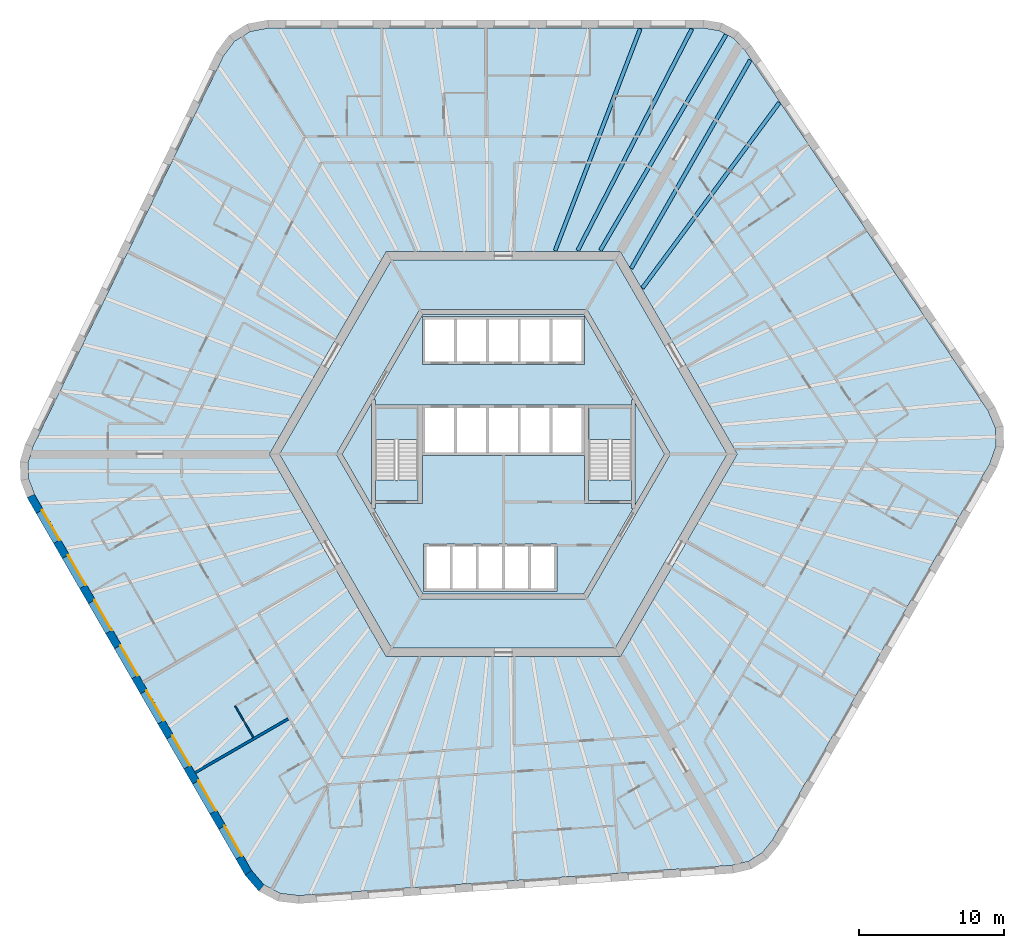
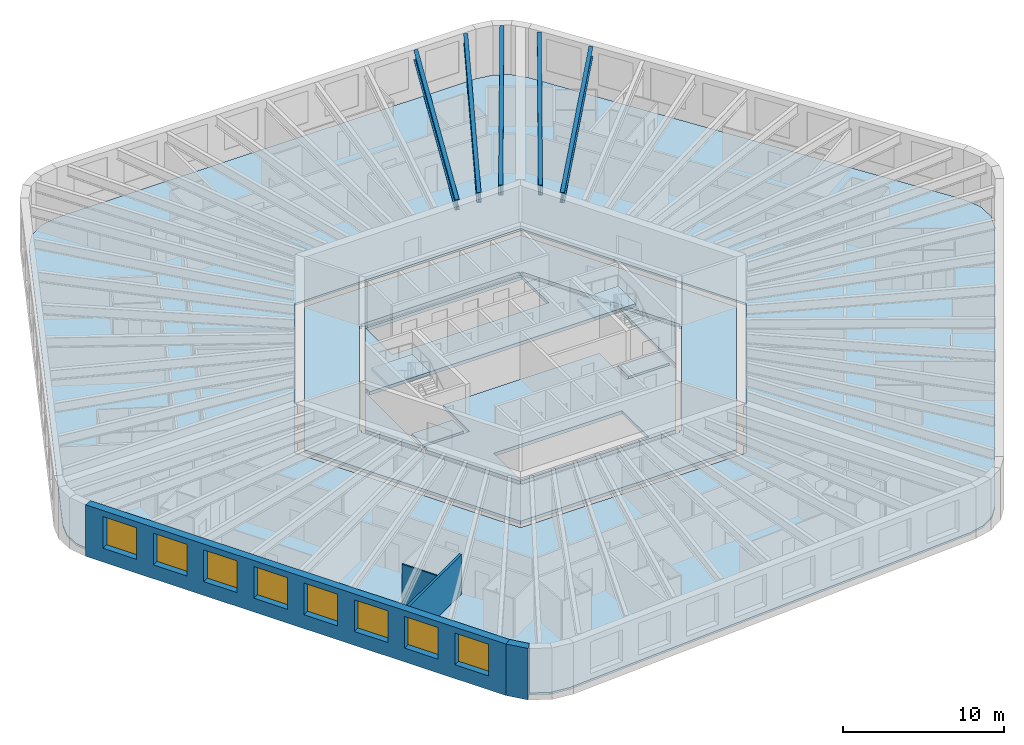
# One storey, part 2 of 12: 10 slabs, 8 windows, 5 beams, 4 walls, 8 openings, 2 elements without a shape of their own.
"""IFC4 building model written with IfcOpenShell, lengths in metres."""

from ifc_helpers import new_model, si_unit, direction, frame, frame_2d, origin, origin_2d, place, context, subcontext, project, spatial, polyline, rectangle, i_section, outline, extrude, material, layer, layer_set, material_profile, profile_set, type_object, element, fill, aggregate, save


model = new_model("IFC4")

# Units and contexts
model_context = context("Model", 3, precision=1e-05, world=origin(), true_north=direction((0.0, 1.0)))
body_context = subcontext(model_context, "Body", "Model", "MODEL_VIEW")
ifc_project = project(units=[si_unit("LENGTHUNIT", "METRE"), si_unit("AREAUNIT", "SQUARE_METRE"), si_unit("VOLUMEUNIT", "CUBIC_METRE"), si_unit("PLANEANGLEUNIT", "RADIAN"), si_unit("MASSUNIT", "GRAM", prefix="KILO")], contexts=[model_context])

# Site, building, storey
site_placement = place(None, origin())
site = spatial("IfcSite", under=ifc_project, at=site_placement, CompositionType="ELEMENT")
building_placement = place(site_placement, origin())
building = spatial("IfcBuilding", under=site, at=building_placement, Name="Tarnside Tower", CompositionType="ELEMENT")
storey_placement = place(building_placement, frame((0.0, 0.0, 131.10009765625)))
storey = spatial("IfcBuildingStorey", under=building, at=storey_placement, Name="L30", CompositionType="ELEMENT", Elevation=131.10009765625)

# Beams
ifc_material_1 = material(Name="Steel S355", Category="steel")
ifc_material_profile = material_profile(ifc_material_1, i_section(OverallWidth=0.2666015625, OverallDepth=0.76220703125, WebThickness=0.014404296875, FlangeThickness=0.021484375, FilletRadius=0.0166015625, at=origin_2d()), Name="UB 762x267x173")
ifc_profile_set = profile_set([ifc_material_profile], Name="Steel S355")
beam_type = type_object("IfcBeamType", Name="Floor beam UB 762x267x173", PredefinedType="BEAM", material=ifc_profile_set)
beam_1_placement = place(storey_placement, frame((13.0283203125, 29.37890625, 3.368896484375), z_axis=(-0.457973226459, -0.888965985765, 0.0), x_axis=(0.888965985765, -0.457973226459, 0.0)))
element("IfcBeam", 1, at=beam_1_placement, inside=storey, type_object=beam_type, Name="Floor beam F1.01", PredefinedType="BEAM", context=body_context, shape_type="SweptSolid", body=[
    extrude(i_section(OverallWidth=0.2666015625, OverallDepth=0.76220703125, WebThickness=0.014404296875, FlangeThickness=0.021484375, FilletRadius=0.0166015625, at=origin_2d()), origin(), (0.0, 0.0, 1.0), 17.219970703125),
])
beam_2_placement = place(storey_placement, frame((9.4619140625, 29.39404296875, 3.368896484375), z_axis=(-0.358299847269, -0.933606565662, 0.0), x_axis=(0.933606565662, -0.358299847269, 0.0)))
element("IfcBeam", 2, at=beam_2_placement, inside=storey, type_object=beam_type, Name="Floor beam F1.02", PredefinedType="BEAM", context=body_context, shape_type="SweptSolid", body=[
    extrude(i_section(OverallWidth=0.2666015625, OverallDepth=0.76220703125, WebThickness=0.014404296875, FlangeThickness=0.021484375, FilletRadius=0.0166015625, at=origin_2d()), origin(), (0.0, 0.0, 1.0), 16.428955078125),
])
beam_3_placement = place(storey_placement, frame((19.072021484375, 24.28857421875, 3.368896484375), z_axis=(-0.593986893499, -0.804474717037, 0.0), x_axis=(0.804474717037, -0.593986893499, 0.0)))
element("IfcBeam", 3, at=beam_3_placement, inside=storey, type_object=beam_type, Name="Floor beam F6.08", PredefinedType="BEAM", context=body_context, shape_type="SweptSolid", body=[
    extrude(i_section(OverallWidth=0.2666015625, OverallDepth=0.76220703125, WebThickness=0.014404296875, FlangeThickness=0.021484375, FilletRadius=0.0166015625, at=origin_2d()), origin(), (0.0, 0.0, 1.0), 15.934326171875),
])
beam_4_placement = place(storey_placement, frame((17.066162109375, 27.235107421875, 3.368896484375), z_axis=(-0.49622611841, -0.868193319145, 0.0), x_axis=(0.868193319145, -0.49622611841, 0.0)))
element("IfcBeam", 4, at=beam_4_placement, inside=storey, type_object=beam_type, Name="Floor beam F6.09", PredefinedType="BEAM", context=body_context, shape_type="SweptSolid", body=[
    extrude(i_section(OverallWidth=0.2666015625, OverallDepth=0.76220703125, WebThickness=0.014404296875, FlangeThickness=0.021484375, FilletRadius=0.0166015625, at=origin_2d()), origin(), (0.0, 0.0, 1.0), 16.586669921875),
])
beam_5_placement = place(storey_placement, frame((15.4013671875, 28.990478515625, 3.368896484375), z_axis=(-0.503858723096, -0.863786077198, 0.0), x_axis=(0.863786077198, -0.503858723096, 0.0)))
element("IfcBeam", 5, at=beam_5_placement, inside=storey, type_object=beam_type, Name="Floor beam C6", PredefinedType="BEAM", context=body_context, shape_type="SweptSolid", body=[
    extrude(i_section(OverallWidth=0.2666015625, OverallDepth=0.76220703125, WebThickness=0.014404296875, FlangeThickness=0.021484375, FilletRadius=0.0166015625, at=origin_2d()), origin(), (0.0, 0.0, 1.0), 17.2744140625),
])

# Slabs
ifc_material_2 = material(Name="Concrete C35/45", Category="concrete")
ifc_layer_1 = layer(ifc_material_2, 0.14990234375)
ifc_layer_set_1 = layer_set([ifc_layer_1], Name="Composite floor slab 150")
slab_type_1 = type_object("IfcSlabType", Name="Composite floor slab 150", PredefinedType="FLOOR", material=ifc_layer_set_1)
slab_1_placement = place(storey_placement, frame((0.0, 0.0, -0.150146484375)))
element("IfcSlab", 6, at=slab_1_placement, inside=storey, type_object=slab_type_1, Name="Floor slab L30", PredefinedType="FLOOR", context=body_context, shape_type="SweptSolid", body=[
    extrude(outline(polyline([(14.927490234375, 29.264892578125), (15.91455078125, 28.740234375), (16.697265625, 27.91064453125), (33.48583984375, 3.0205078125), (34.001220703125, 1.825439453125), (34.0458984375, 0.55078125), (33.614990234375, -0.67724609375), (18.603515625, -26.677978515625), (17.880615234375, -27.56005859375), (16.9326171875, -28.15234375), (15.82275390625, -28.41552734375), (-14.127197265625, -30.509765625), (-15.419921875, -30.358642578125), (-16.5458984375, -29.760009765625), (-17.39404296875, -28.772705078125), (-32.405517578125, -2.772216796875), (-32.80810546875, -1.704833984375), (-32.846923828125, -0.587890625), (-32.52001953125, 0.5048828125), (-19.358642578125, 27.4892578125), (-18.58154296875, 28.533203125), (-17.5, 29.208984375), (-16.220947265625, 29.449951171875), (13.802001953125, 29.449951171875), (14.927490234375, 29.264892578125)]), holes=[polyline([(-16.165771484375, 0.0), (-8.0830078125, -14.0), (8.0830078125, -14.0), (16.165771484375, 0.0), (8.0830078125, 14.0), (-8.0830078125, 14.0), (-16.165771484375, 0.0)])]), origin(), (0.0, 0.0, 1.0), 0.150146484375),
])
ifc_material_3 = material(Name="Concrete C40/50", Category="concrete")
ifc_layer_2 = layer(ifc_material_3, 0.25)
ifc_layer_set_2 = layer_set([ifc_layer_2], Name="Core slab C40/50")
slab_type_2 = type_object("IfcSlabType", Name="Core slab C40/50", PredefinedType="FLOOR", material=ifc_layer_set_2)
slab_2_placement = place(storey_placement, frame((0.0, 0.0, -0.25)))
element("IfcSlab", 7, at=slab_2_placement, inside=storey, type_object=slab_type_2, Name="L30 core floor slab 1", PredefinedType="FLOOR", context=body_context, shape_type="SweptSolid", body=[
    extrude(outline(polyline([(-15.472900390625, 0.0), (-7.736572265625, 13.39990234375), (7.736572265625, 13.39990234375), (15.472900390625, 0.0), (7.736572265625, -13.39990234375), (-7.736572265625, -13.39990234375), (-15.472900390625, 0.0)]), holes=[polyline([(5.823974609375, -9.91259765625), (11.49658203125, -0.08740234375), (11.344970703125, 0.0), (11.49658203125, 0.08740234375), (5.823974609375, 9.91259765625), (5.672607421875, 9.824951171875), (5.672607421875, 10.0), (-5.672607421875, 10.0), (-5.672607421875, 9.824951171875), (-5.823974609375, 9.91259765625), (-11.49658203125, 0.08740234375), (-11.344970703125, 0.0), (-11.49658203125, -0.08740234375), (-5.823974609375, -9.91259765625), (-5.672607421875, -9.824951171875), (-5.672607421875, -10.0), (5.672607421875, -10.0), (5.672607421875, -9.824951171875), (5.823974609375, -9.91259765625)])]), origin(), (0.0, 0.0, 1.0), 0.25),
])
slab_3_placement = place(storey_placement, frame((0.0, 0.0, -0.25)))
element("IfcSlab", 8, at=slab_3_placement, inside=storey, type_object=slab_type_2, Name="L30 core floor slab 2", PredefinedType="FLOOR", context=body_context, shape_type="SweptSolid", body=[
    extrude(outline(polyline([(-8.97509765625, 3.7548828125), (-5.5712890625, 9.64990234375), (5.5712890625, 9.64990234375), (8.97509765625, 3.7548828125), (8.85009765625, 3.7548828125), (8.85009765625, 3.39990234375), (5.89990234375, 3.39990234375), (5.60009765625, 3.39990234375), (5.60009765625, 3.39990234375), (-5.60009765625, 3.39990234375), (-5.89990234375, 3.39990234375), (-8.85009765625, 3.39990234375), (-8.85009765625, 3.7548828125), (-8.97509765625, 3.7548828125)]), holes=[polyline([(-5.60009765625, 6.199951171875), (5.60009765625, 6.199951171875), (5.60009765625, 6.39990234375), (5.60009765625, 9.300048828125), (5.60009765625, 9.5), (-5.60009765625, 9.5), (-5.60009765625, 9.300048828125), (-5.60009765625, 6.39990234375), (-5.60009765625, 6.199951171875)])]), origin(), (0.0, 0.0, 1.0), 0.25),
])
slab_4_placement = place(storey_placement, frame((0.0, 0.0, -0.25)))
element("IfcSlab", 9, at=slab_4_placement, inside=storey, type_object=slab_type_2, Name="L30 core floor slab 3", PredefinedType="FLOOR", context=body_context, shape_type="SweptSolid", body=[
    extrude(outline(polyline([(5.60009765625, -3.39990234375), (5.89990234375, -3.39990234375), (8.85009765625, -3.39990234375), (8.85009765625, -3.7548828125), (8.97509765625, -3.7548828125), (5.5712890625, -9.64990234375), (-5.5712890625, -9.64990234375), (-8.97509765625, -3.7548828125), (-8.85009765625, -3.7548828125), (-8.85009765625, -3.39990234375), (-5.89990234375, -3.39990234375), (-5.60009765625, -3.39990234375), (-5.60009765625, -0.10009765625), (5.60009765625, -0.10009765625), (5.60009765625, -3.39990234375)]), holes=[polyline([(-5.5, -9.300048828125), (-5.5, -9.5), (3.699951171875, -9.5), (3.699951171875, -9.300048828125), (3.699951171875, -6.39990234375), (3.699951171875, -6.199951171875), (-5.5, -6.199951171875), (-5.5, -6.39990234375), (-5.5, -9.300048828125)])]), origin(), (0.0, 0.0, 1.0), 0.25),
])
slab_5_placement = place(storey_placement, frame((0.0, 0.0, -0.25)))
element("IfcSlab", 10, at=slab_5_placement, inside=storey, type_object=slab_type_2, Name="L30 core floor slab 4", PredefinedType="FLOOR", context=body_context, shape_type="SweptSolid", body=[
    extrude(outline(polyline([(-11.142822265625, 0.0), (-9.10009765625, 3.538330078125), (-9.10009765625, -3.538330078125), (-11.142822265625, 0.0)])), origin(), (0.0, 0.0, 1.0), 0.25),
])
slab_6_placement = place(storey_placement, frame((0.0, 0.0, -0.25)))
element("IfcSlab", 11, at=slab_6_placement, inside=storey, type_object=slab_type_2, Name="L30 core floor slab 5", PredefinedType="FLOOR", context=body_context, shape_type="SweptSolid", body=[
    extrude(outline(polyline([(-8.85009765625, -1.800048828125), (-5.89990234375, -1.800048828125), (-5.89990234375, -3.199951171875), (-8.85009765625, -3.199951171875), (-8.85009765625, -1.800048828125)])), origin(), (0.0, 0.0, 1.0), 0.25),
])
slab_7_placement = place(storey_placement, frame((0.0, 0.0, -0.25)))
element("IfcSlab", 12, at=slab_7_placement, inside=storey, type_object=slab_type_2, Name="L30 core floor slab 6", PredefinedType="FLOOR", context=body_context, shape_type="SweptSolid", body=[
    extrude(outline(polyline([(5.89990234375, -3.199951171875), (5.89990234375, -1.800048828125), (8.85009765625, -1.800048828125), (8.85009765625, -3.199951171875), (5.89990234375, -3.199951171875)])), origin(), (0.0, 0.0, 1.0), 0.25),
])
slab_8_placement = place(storey_placement, frame((0.0, 0.0, -0.25)))
element("IfcSlab", 13, at=slab_8_placement, inside=storey, type_object=slab_type_2, Name="L30 core floor slab 7", PredefinedType="FLOOR", context=body_context, shape_type="SweptSolid", body=[
    extrude(outline(polyline([(9.10009765625, -3.538330078125), (9.10009765625, 3.538330078125), (11.142822265625, 0.0), (9.10009765625, -3.538330078125)])), origin(), (0.0, 0.0, 1.0), 0.25),
])

# Stair, slab
stair_type = type_object("IfcStairType", Name="Exit stair 1400 clear", PredefinedType="HALF_TURN_STAIR", material=ifc_material_3)
stair_1_placement = place(storey_placement, origin())
stair_1 = element("IfcStair", 14, at=stair_1_placement, inside=storey, type_object=stair_type, Name="L30 Exit stair 1", PredefinedType="HALF_TURN_STAIR")
ifc_layer_3 = layer(ifc_material_3, 0.199951171875)
ifc_layer_set_3 = layer_set([ifc_layer_3], Name="Stair landing 200 C40/50")
slab_type_3 = type_object("IfcSlabType", Name="Stair landing 200 C40/50", PredefinedType="LANDING", material=ifc_layer_set_3)
slab_9_placement = place(storey_placement, frame((0.0, 0.0, 1.75)))
slab_9 = element("IfcSlab", 15, at=slab_9_placement, type_object=slab_type_3, Name="ST1 landing 1", PredefinedType="LANDING", context=body_context, shape_type="SweptSolid", body=[
    extrude(outline(polyline([(8.85009765625, 1.0), (8.85009765625, 3.199951171875), (5.89990234375, 3.199951171875), (5.89990234375, 1.0), (8.85009765625, 1.0)])), origin(), (0.0, 0.0, 1.0), 0.199951171875),
])
aggregate(stair_1, [slab_9])

stair_2_placement = place(storey_placement, origin())
stair_2 = element("IfcStair", 16, at=stair_2_placement, inside=storey, type_object=stair_type, Name="L30 Exit stair 2", PredefinedType="HALF_TURN_STAIR")
slab_10_placement = place(storey_placement, frame((0.0, 0.0, 1.75)))
slab_10 = element("IfcSlab", 17, at=slab_10_placement, type_object=slab_type_3, Name="ST2 landing 1", PredefinedType="LANDING", context=body_context, shape_type="SweptSolid", body=[
    extrude(outline(polyline([(-5.89990234375, 1.0), (-5.89990234375, 3.199951171875), (-8.85009765625, 3.199951171875), (-8.85009765625, 1.0), (-5.89990234375, 1.0)])), origin(), (0.0, 0.0, 1.0), 0.199951171875),
])
aggregate(stair_2, [slab_10])

# Walls
ifc_material_4 = material(Name="Gypsum board partition on steel studs", Category="steel")
ifc_layer_4 = layer(ifc_material_4, 0.10009765625)
ifc_layer_set_4 = layer_set([ifc_layer_4], Name="Bathroom wall 100")
wall_type_1 = type_object("IfcWallType", Name="Bathroom wall 100", PredefinedType="PARTITIONING", material=ifc_layer_set_4)
wall_1_placement = place(storey_placement, frame((-17.273681640625, -19.581298828125, 0.0), z_axis=(0.0, 0.0, 1.0), x_axis=(-0.499946979623, 0.86605601295, 0.0)))
element("IfcWall", 18, at=wall_1_placement, inside=storey, type_object=wall_type_1, Name="Bathroom wall 09118", PredefinedType="PARTITIONING", context=body_context, shape_type="SweptSolid", body=[
    extrude(rectangle(XDim=2.510009765625, YDim=0.10009765625, at=frame_2d((1.2548828125, 0.0))), origin(), (0.0, 0.0, 1.0), 2.98779296875),
])
ifc_layer_5 = layer(ifc_material_4, 0.179931640625)
ifc_layer_set_5 = layer_set([ifc_layer_5], Name="Demising wall 180 EI 60")
wall_type_2 = type_object("IfcWallType", Name="Demising wall 180 EI 60", PredefinedType="PARTITIONING", material=ifc_layer_set_5)
wall_2_placement = place(storey_placement, frame((-21.298828125, -22.00927734375, 0.0), z_axis=(0.0, 0.0, 1.0), x_axis=(0.866014745021, 0.500018461065, 0.0)))
element("IfcWall", 19, at=wall_2_placement, inside=storey, type_object=wall_type_2, Name="Demising wall 09120", PredefinedType="PARTITIONING", context=body_context, shape_type="SweptSolid", body=[
    extrude(rectangle(XDim=7.425048828125, YDim=0.179931640625, at=frame_2d((3.71240234375, 0.0))), origin(), (0.0, 0.0, 1.0), 2.98779296875),
])

# Wall, openings, windows
ifc_material_5 = material(Name="Facing brick", Category="masonry")
ifc_layer_6 = layer(ifc_material_5, 0.10205078125)
ifc_material_6 = material(Name="Concrete C60/75 precast", Category="concrete")
ifc_layer_7 = layer(ifc_material_6, 0.347900390625)
ifc_material_7 = material(Name="Mineral wool insulation")
ifc_layer_8 = layer(ifc_material_7, 0.10009765625)
ifc_layer_set_6 = layer_set([ifc_layer_6, ifc_layer_7, ifc_layer_8], Name="Tube wall 550 brick faced")
wall_type_3 = type_object("IfcWallType", Name="Tube wall 550 brick faced", PredefinedType="SOLIDWALL", material=ifc_layer_set_6)
wall_3_placement = place(storey_placement, frame((-32.65478515625, -2.89013671875, -0.150146484375), z_axis=(0.0, 0.0, 1.0), x_axis=(0.499997711317, -0.866026725152, 0.0)))
wall_3 = element("IfcWall", 20, at=wall_3_placement, inside=storey, type_object=wall_type_3, Name="Tube wall L30 F3 flush 08", PredefinedType="SOLIDWALL", context=body_context, shape_type="SweptSolid", body=[
    extrude(outline(polyline([(-0.0224609375, -0.27490234375), (30.0966796875, -0.27490234375), (30.04541015625, 0.27490234375), (0.0224609375, 0.27490234375), (-0.0224609375, -0.27490234375)])), origin(), (0.0, 0.0, 1.0), 3.900146484375),
])
opening_1_placement = place(wall_3_placement, frame((1.235595703125, 0.0, 1.050048828125)))
opening_1 = element("IfcOpeningElement", 21, at=opening_1_placement, cuts=wall_3, Name="Opening WH", PredefinedType="OPENING", context=body_context, shape_type="SweptSolid", body=[
    extrude(rectangle(XDim=2.39990234375, YDim=2.39990234375, at=frame_2d((1.199951171875, 1.199951171875))), frame((0.0, 0.28515625, 0.0), z_axis=(0.0, -1.0, 0.0), x_axis=(1.0, 0.0, 0.0)), (0.0, 0.0, 1.0), 0.570068359375),
])
opening_2_placement = place(wall_3_placement, frame((4.83544921875, 0.0, 1.050048828125)))
opening_2 = element("IfcOpeningElement", 22, at=opening_2_placement, cuts=wall_3, Name="Opening WH", PredefinedType="OPENING", context=body_context, shape_type="SweptSolid", body=[
    extrude(rectangle(XDim=2.39990234375, YDim=2.39990234375, at=frame_2d((1.199951171875, 1.199951171875))), frame((0.0, 0.28515625, 0.0), z_axis=(0.0, -1.0, 0.0), x_axis=(1.0, 0.0, 0.0)), (0.0, 0.0, 1.0), 0.570068359375),
])
opening_3_placement = place(wall_3_placement, frame((8.435546875, 0.0, 1.050048828125)))
opening_3 = element("IfcOpeningElement", 23, at=opening_3_placement, cuts=wall_3, Name="Opening WH", PredefinedType="OPENING", context=body_context, shape_type="SweptSolid", body=[
    extrude(rectangle(XDim=2.39990234375, YDim=2.39990234375, at=frame_2d((1.199951171875, 1.199951171875))), frame((0.0, 0.28515625, 0.0), z_axis=(0.0, -1.0, 0.0), x_axis=(1.0, 0.0, 0.0)), (0.0, 0.0, 1.0), 0.570068359375),
])
opening_4_placement = place(wall_3_placement, frame((12.035400390625, 0.0, 1.050048828125)))
opening_4 = element("IfcOpeningElement", 24, at=opening_4_placement, cuts=wall_3, Name="Opening WH", PredefinedType="OPENING", context=body_context, shape_type="SweptSolid", body=[
    extrude(rectangle(XDim=2.39990234375, YDim=2.39990234375, at=frame_2d((1.199951171875, 1.199951171875))), frame((0.0, 0.28515625, 0.0), z_axis=(0.0, -1.0, 0.0), x_axis=(1.0, 0.0, 0.0)), (0.0, 0.0, 1.0), 0.570068359375),
])
opening_5_placement = place(wall_3_placement, frame((15.635498046875, 0.0, 1.050048828125)))
opening_5 = element("IfcOpeningElement", 25, at=opening_5_placement, cuts=wall_3, Name="Opening WH", PredefinedType="OPENING", context=body_context, shape_type="SweptSolid", body=[
    extrude(rectangle(XDim=2.39990234375, YDim=2.39990234375, at=frame_2d((1.199951171875, 1.199951171875))), frame((0.0, 0.28515625, 0.0), z_axis=(0.0, -1.0, 0.0), x_axis=(1.0, 0.0, 0.0)), (0.0, 0.0, 1.0), 0.570068359375),
])
opening_6_placement = place(wall_3_placement, frame((19.235595703125, 0.0, 1.050048828125)))
opening_6 = element("IfcOpeningElement", 26, at=opening_6_placement, cuts=wall_3, Name="Opening WH", PredefinedType="OPENING", context=body_context, shape_type="SweptSolid", body=[
    extrude(rectangle(XDim=2.39990234375, YDim=2.39990234375, at=frame_2d((1.199951171875, 1.199951171875))), frame((0.0, 0.28515625, 0.0), z_axis=(0.0, -1.0, 0.0), x_axis=(1.0, 0.0, 0.0)), (0.0, 0.0, 1.0), 0.570068359375),
])
opening_7_placement = place(wall_3_placement, frame((22.83544921875, 0.0, 1.050048828125)))
opening_7 = element("IfcOpeningElement", 27, at=opening_7_placement, cuts=wall_3, Name="Opening WH", PredefinedType="OPENING", context=body_context, shape_type="SweptSolid", body=[
    extrude(rectangle(XDim=2.39990234375, YDim=2.39990234375, at=frame_2d((1.199951171875, 1.199951171875))), frame((0.0, 0.28515625, 0.0), z_axis=(0.0, -1.0, 0.0), x_axis=(1.0, 0.0, 0.0)), (0.0, 0.0, 1.0), 0.570068359375),
])
opening_8_placement = place(wall_3_placement, frame((26.435546875, 0.0, 1.050048828125)))
opening_8 = element("IfcOpeningElement", 28, at=opening_8_placement, cuts=wall_3, Name="Opening WH", PredefinedType="OPENING", context=body_context, shape_type="SweptSolid", body=[
    extrude(rectangle(XDim=2.39990234375, YDim=2.39990234375, at=frame_2d((1.199951171875, 1.199951171875))), frame((0.0, 0.28515625, 0.0), z_axis=(0.0, -1.0, 0.0), x_axis=(1.0, 0.0, 0.0)), (0.0, 0.0, 1.0), 0.570068359375),
])
ifc_material_8 = material(Name="Aluminium-framed double glazing", Category="aluminium")
window_type = type_object("IfcWindowType", Name="Hotel window 2400 x 2400", PartitioningType="DOUBLE_PANEL_VERTICAL", PredefinedType="WINDOW", material=ifc_material_8)
window_1_placement = place(opening_1_placement, frame((0.0, 0.205078125, 0.0)))
window_1 = element("IfcWindow", 29, at=window_1_placement, inside=storey, type_object=window_type, Name="E.WN.L30.F3.00", OverallHeight=2.39990234375, OverallWidth=2.39990234375, PartitioningType="DOUBLE_PANEL_VERTICAL", PredefinedType="WINDOW", context=body_context, shape_type="SweptSolid", body=[
    extrude(rectangle(XDim=2.39990234375, YDim=2.39990234375, at=frame_2d((1.199951171875, 1.199951171875))), frame((0.0, 0.030029296875, 0.0), z_axis=(0.0, -1.0, 0.0), x_axis=(1.0, 0.0, 0.0)), (0.0, 0.0, 1.0), 0.06005859375),
])
fill(opening_1, window_1)
window_2_placement = place(opening_2_placement, frame((0.0, 0.205078125, 0.0)))
window_2 = element("IfcWindow", 30, at=window_2_placement, inside=storey, type_object=window_type, Name="E.WN.L30.F3.01", OverallHeight=2.39990234375, OverallWidth=2.39990234375, PartitioningType="DOUBLE_PANEL_VERTICAL", PredefinedType="WINDOW", context=body_context, shape_type="SweptSolid", body=[
    extrude(rectangle(XDim=2.39990234375, YDim=2.39990234375, at=frame_2d((1.199951171875, 1.199951171875))), frame((0.0, 0.030029296875, 0.0), z_axis=(0.0, -1.0, 0.0), x_axis=(1.0, 0.0, 0.0)), (0.0, 0.0, 1.0), 0.06005859375),
])
fill(opening_2, window_2)
window_3_placement = place(opening_3_placement, frame((0.0, 0.205078125, 0.0)))
window_3 = element("IfcWindow", 31, at=window_3_placement, inside=storey, type_object=window_type, Name="E.WN.L30.F3.02", OverallHeight=2.39990234375, OverallWidth=2.39990234375, PartitioningType="DOUBLE_PANEL_VERTICAL", PredefinedType="WINDOW", context=body_context, shape_type="SweptSolid", body=[
    extrude(rectangle(XDim=2.39990234375, YDim=2.39990234375, at=frame_2d((1.199951171875, 1.199951171875))), frame((0.0, 0.030029296875, 0.0), z_axis=(0.0, -1.0, 0.0), x_axis=(1.0, 0.0, 0.0)), (0.0, 0.0, 1.0), 0.06005859375),
])
fill(opening_3, window_3)
window_4_placement = place(opening_4_placement, frame((0.0, 0.205078125, 0.0)))
window_4 = element("IfcWindow", 32, at=window_4_placement, inside=storey, type_object=window_type, Name="E.WN.L30.F3.03", OverallHeight=2.39990234375, OverallWidth=2.39990234375, PartitioningType="DOUBLE_PANEL_VERTICAL", PredefinedType="WINDOW", context=body_context, shape_type="SweptSolid", body=[
    extrude(rectangle(XDim=2.39990234375, YDim=2.39990234375, at=frame_2d((1.199951171875, 1.199951171875))), frame((0.0, 0.030029296875, 0.0), z_axis=(0.0, -1.0, 0.0), x_axis=(1.0, 0.0, 0.0)), (0.0, 0.0, 1.0), 0.06005859375),
])
fill(opening_4, window_4)
window_5_placement = place(opening_5_placement, frame((0.0, 0.205078125, 0.0)))
window_5 = element("IfcWindow", 33, at=window_5_placement, inside=storey, type_object=window_type, Name="E.WN.L30.F3.04", OverallHeight=2.39990234375, OverallWidth=2.39990234375, PartitioningType="DOUBLE_PANEL_VERTICAL", PredefinedType="WINDOW", context=body_context, shape_type="SweptSolid", body=[
    extrude(rectangle(XDim=2.39990234375, YDim=2.39990234375, at=frame_2d((1.199951171875, 1.199951171875))), frame((0.0, 0.030029296875, 0.0), z_axis=(0.0, -1.0, 0.0), x_axis=(1.0, 0.0, 0.0)), (0.0, 0.0, 1.0), 0.06005859375),
])
fill(opening_5, window_5)
window_6_placement = place(opening_6_placement, frame((0.0, 0.205078125, 0.0)))
window_6 = element("IfcWindow", 34, at=window_6_placement, inside=storey, type_object=window_type, Name="E.WN.L30.F3.05", OverallHeight=2.39990234375, OverallWidth=2.39990234375, PartitioningType="DOUBLE_PANEL_VERTICAL", PredefinedType="WINDOW", context=body_context, shape_type="SweptSolid", body=[
    extrude(rectangle(XDim=2.39990234375, YDim=2.39990234375, at=frame_2d((1.199951171875, 1.199951171875))), frame((0.0, 0.030029296875, 0.0), z_axis=(0.0, -1.0, 0.0), x_axis=(1.0, 0.0, 0.0)), (0.0, 0.0, 1.0), 0.06005859375),
])
fill(opening_6, window_6)
window_7_placement = place(opening_7_placement, frame((0.0, 0.205078125, 0.0)))
window_7 = element("IfcWindow", 35, at=window_7_placement, inside=storey, type_object=window_type, Name="E.WN.L30.F3.06", OverallHeight=2.39990234375, OverallWidth=2.39990234375, PartitioningType="DOUBLE_PANEL_VERTICAL", PredefinedType="WINDOW", context=body_context, shape_type="SweptSolid", body=[
    extrude(rectangle(XDim=2.39990234375, YDim=2.39990234375, at=frame_2d((1.199951171875, 1.199951171875))), frame((0.0, 0.030029296875, 0.0), z_axis=(0.0, -1.0, 0.0), x_axis=(1.0, 0.0, 0.0)), (0.0, 0.0, 1.0), 0.06005859375),
])
fill(opening_7, window_7)
window_8_placement = place(opening_8_placement, frame((0.0, 0.205078125, 0.0)))
window_8 = element("IfcWindow", 36, at=window_8_placement, inside=storey, type_object=window_type, Name="E.WN.L30.F3.07", OverallHeight=2.39990234375, OverallWidth=2.39990234375, PartitioningType="DOUBLE_PANEL_VERTICAL", PredefinedType="WINDOW", context=body_context, shape_type="SweptSolid", body=[
    extrude(rectangle(XDim=2.39990234375, YDim=2.39990234375, at=frame_2d((1.199951171875, 1.199951171875))), frame((0.0, 0.030029296875, 0.0), z_axis=(0.0, -1.0, 0.0), x_axis=(1.0, 0.0, 0.0)), (0.0, 0.0, 1.0), 0.06005859375),
])
fill(opening_8, window_8)

# Wall
wall_4_placement = place(storey_placement, frame((-17.619384765625, -28.932373046875, -0.150146484375), z_axis=(0.0, 0.0, 1.0), x_axis=(0.651621950847, -0.758543890078, 0.0)))
element("IfcWall", 37, at=wall_4_placement, inside=storey, type_object=wall_type_3, Name="Tube wall L30 F3 chord 09", PredefinedType="SOLIDWALL", context=body_context, shape_type="SweptSolid", body=[
    extrude(outline(polyline([(-0.025634765625, -0.27490234375), (1.430908203125, -0.27490234375), (1.327392578125, 0.27490234375), (0.025634765625, 0.27490234375), (-0.025634765625, -0.27490234375)])), origin(), (0.0, 0.0, 1.0), 3.900146484375),
])

save(model, "model.ifc")
